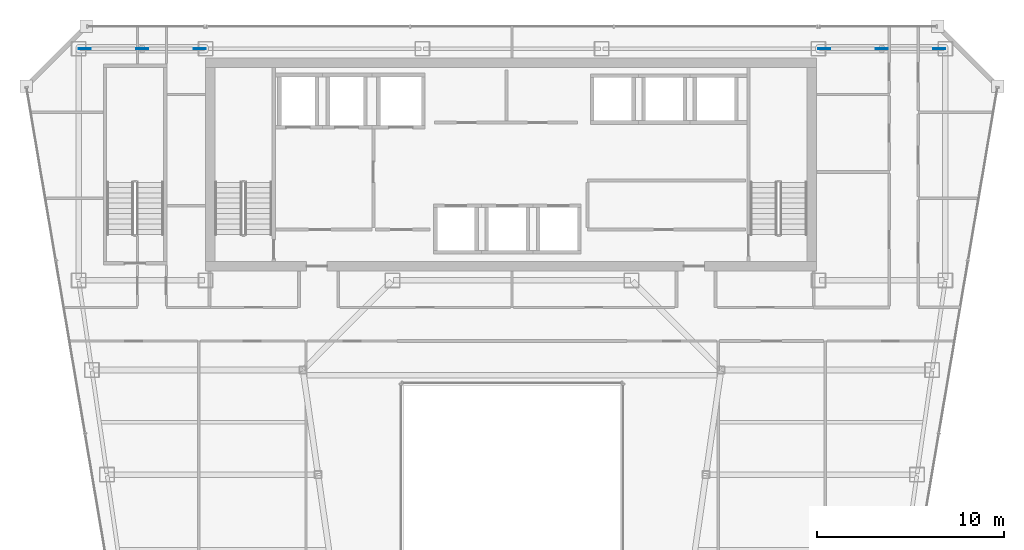
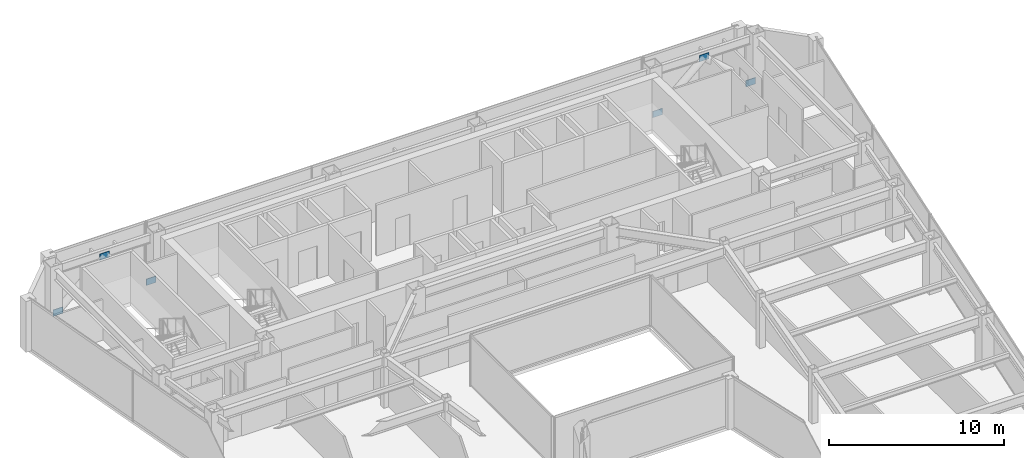
# One storey, part 29 of 36: 6 plates.
"""IFC4 building model written with IfcOpenShell, lengths in metres."""

from ifc_helpers import new_model, si_unit, direction, frame, origin, origin_2d, place, context, subcontext, project, spatial, rectangle, extrude, material, layer, layer_set, type_object, element, save


model = new_model("IFC4")

# Units and contexts
model_context = context("Model", 3, precision=1e-05, world=origin(), true_north=direction((0.0, 1.0)))
body_context = subcontext(model_context, "Body", "Model", "MODEL_VIEW")
ifc_project = project(units=[si_unit("LENGTHUNIT", "METRE"), si_unit("AREAUNIT", "SQUARE_METRE"), si_unit("VOLUMEUNIT", "CUBIC_METRE"), si_unit("PLANEANGLEUNIT", "RADIAN"), si_unit("MASSUNIT", "GRAM", prefix="KILO")], contexts=[model_context])

# Site, building, storey
site_placement = place(None, origin())
site = spatial("IfcSite", under=ifc_project, at=site_placement, CompositionType="ELEMENT")
building_placement = place(site_placement, origin())
building = spatial("IfcBuilding", under=site, at=building_placement, Name="Saevonmaru Cultural Tower", CompositionType="ELEMENT")
storey_placement = place(building_placement, frame((0.0, 0.0, 182.800048828125)))
storey = spatial("IfcBuildingStorey", under=building, at=storey_placement, Name="L41", CompositionType="ELEMENT", Elevation=182.800048828125)

# Plates
ifc_material = material(Name="Steel HSA600 (600 MPa)", Category="steel")
ifc_layer = layer(ifc_material, 0.0400390625, Name="Steel HSA600 (600 MPa)")
ifc_layer_set = layer_set([ifc_layer], Name="Steel HSA600 (600 MPa)")
plate_type = type_object("IfcPlateType", Name="PL-GUSSET-EXT", PredefinedType="USERDEFINED", material=ifc_layer_set)
for number, where, z_axis, x_axis, name in (
    (1, (10.199951171875, 54.800048828125, 2.85009765625), (0.0, 0.0, 1.0), (1.0, 0.0, 0.0), "L41 Perimeter Tube Gusset Plate"),
    (2, (7.1201171875, 54.800048828125, 0.02001953125), (0.0, 0.0, 1.0), (1.0, 0.0, 0.0), "L41 Perimeter Tube Gusset Plate"),
    (3, (13.280029296875, 54.800048828125, 0.02001953125), (0.0, 0.0, 1.0), (1.0, 0.0, 0.0), "L41 Perimeter Tube Gusset Plate"),
    (4, (49.800048828125, 54.800048828125, 2.85009765625), (0.0, 0.0, 1.0), (1.0, 0.0, 0.0), "L41 Perimeter Tube Gusset Plate"),
    (5, (46.719970703125, 54.800048828125, 0.02001953125), (0.0, 0.0, 1.0), (1.0, 0.0, 0.0), "L41 Perimeter Tube Gusset Plate"),
    (6, (52.8798828125, 54.800048828125, 0.02001953125), (0.0, 0.0, 1.0), (1.0, 0.0, 0.0), "L41 Perimeter Tube Gusset Plate"),
):
    element("IfcPlate", number, at=place(storey_placement, frame(where, z_axis=z_axis, x_axis=x_axis)), inside=storey, type_object=plate_type, Name=name, ObjectType="GUSSET_PLATE", PredefinedType="USERDEFINED", context=body_context, shape_type="SweptSolid", body=[
        extrude(rectangle(XDim=0.639892578125, YDim=0.0400390625, at=origin_2d()), origin(), (0.0, 0.0, 1.0), 0.43994140625),
    ])

save(model, "model.ifc")
